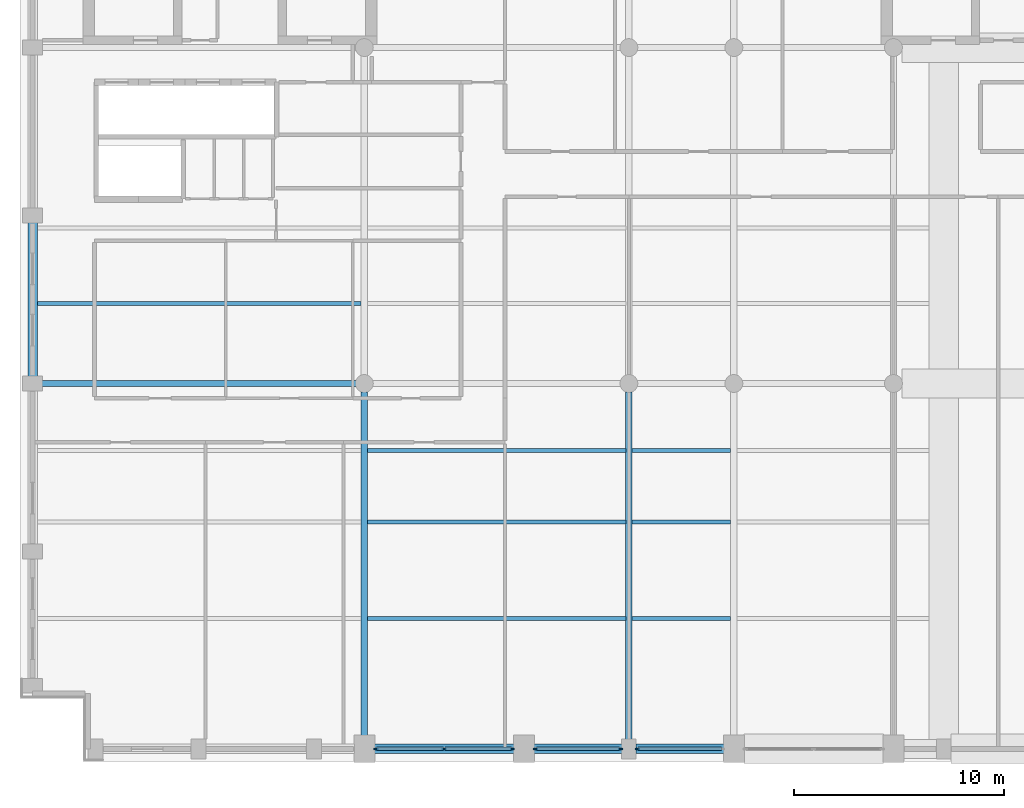
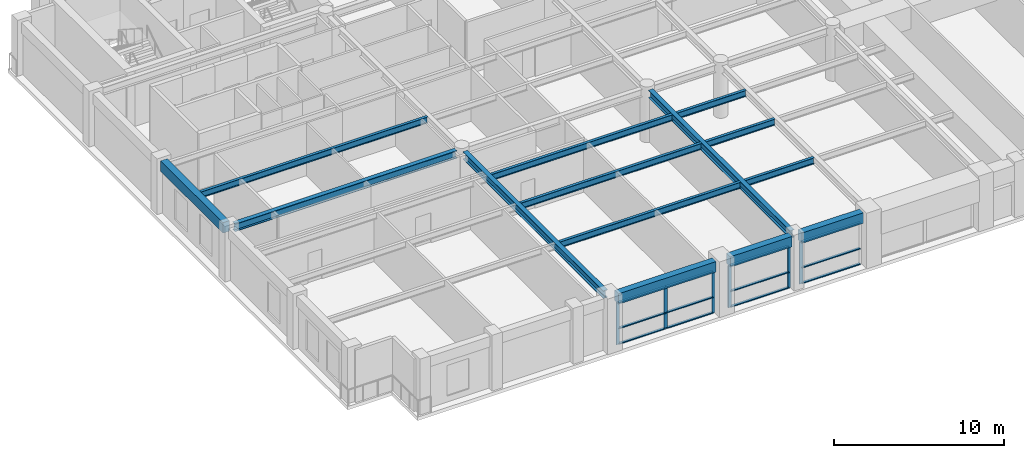
# One storey, part 2 of 14: 18 members, 14 beams, 3 elements without a shape of their own.
"""IFC4 building model written with IfcOpenShell, lengths in metres."""

from ifc_helpers import new_model, si_unit, direction, frame, origin, origin_2d, place, context, subcontext, project, spatial, rectangle, i_section, extrude, material, layer, layer_set, material_profile, profile_set, type_object, element, aggregate, save


model = new_model("IFC4")

# Units and contexts
model_context = context("Model", 3, precision=1e-05, world=origin(), true_north=direction((0.0, 1.0)))
body_context = subcontext(model_context, "Body", "Model", "MODEL_VIEW")
ifc_project = project(units=[si_unit("LENGTHUNIT", "METRE"), si_unit("AREAUNIT", "SQUARE_METRE"), si_unit("VOLUMEUNIT", "CUBIC_METRE"), si_unit("PLANEANGLEUNIT", "RADIAN"), si_unit("MASSUNIT", "GRAM", prefix="KILO")], contexts=[model_context])

# Site, building, storey
site_placement = place(None, origin())
site = spatial("IfcSite", under=ifc_project, at=site_placement, CompositionType="ELEMENT")
building_placement = place(site_placement, origin())
building = spatial("IfcBuilding", under=site, at=building_placement, Name="Sulina Concourse Tower", CompositionType="ELEMENT")
storey_placement = place(building_placement, frame((0.0, 0.0, 285.0)))
storey = spatial("IfcBuildingStorey", under=building, at=storey_placement, Name="L69", CompositionType="ELEMENT", Elevation=285.0)

# Beams
ifc_material_1 = material(Name="Steel S355", Category="steel")
ifc_material_profile_1 = material_profile(ifc_material_1, i_section(OverallWidth=0.18994140625, OverallDepth=0.449951171875, WebThickness=0.009521484375, FlangeThickness=0.0146484375, at=origin_2d()), Name="IPE 450")
ifc_profile_set_1 = profile_set([ifc_material_profile_1], Name="Steel S355")
beam_type_1 = type_object("IfcBeamType", Name="Composite Floor Joist IPE450", PredefinedType="JOIST", material=ifc_profile_set_1)
beam_1_placement = place(storey_placement, frame((16.550048828125, 6.800048828125, 3.550048828125), z_axis=(1.0, 0.0, 0.0), x_axis=(0.0, 1.0, 0.0)))
element("IfcBeam", 1, at=beam_1_placement, inside=storey, type_object=beam_type_1, Name="FJ-J06-2-L69", PredefinedType="JOIST", context=body_context, shape_type="SweptSolid", body=[
    extrude(i_section(OverallWidth=0.18994140625, OverallDepth=0.449951171875, WebThickness=0.009521484375, FlangeThickness=0.0146484375, at=origin_2d()), origin(), (0.0, 0.0, 1.0), 12.300048828125),
])
beam_2_placement = place(storey_placement, frame((29.14990234375, 6.800048828125, 3.550048828125), z_axis=(1.0, 0.0, 0.0), x_axis=(0.0, 1.0, 0.0)))
element("IfcBeam", 2, at=beam_2_placement, inside=storey, type_object=beam_type_1, Name="FJ-J06-3-L69", PredefinedType="JOIST", context=body_context, shape_type="SweptSolid", body=[
    extrude(i_section(OverallWidth=0.18994140625, OverallDepth=0.449951171875, WebThickness=0.009521484375, FlangeThickness=0.0146484375, at=origin_2d()), origin(), (0.0, 0.0, 1.0), 4.7001953125),
])
beam_3_placement = place(storey_placement, frame((16.550048828125, 11.39990234375, 3.550048828125), z_axis=(1.0, 0.0, 0.0), x_axis=(0.0, 1.0, 0.0)))
element("IfcBeam", 3, at=beam_3_placement, inside=storey, type_object=beam_type_1, Name="FJ-J11-2-L69", PredefinedType="JOIST", context=body_context, shape_type="SweptSolid", body=[
    extrude(i_section(OverallWidth=0.18994140625, OverallDepth=0.449951171875, WebThickness=0.009521484375, FlangeThickness=0.0146484375, at=origin_2d()), origin(), (0.0, 0.0, 1.0), 12.300048828125),
])
beam_4_placement = place(storey_placement, frame((29.14990234375, 11.39990234375, 3.550048828125), z_axis=(1.0, 0.0, 0.0), x_axis=(0.0, 1.0, 0.0)))
element("IfcBeam", 4, at=beam_4_placement, inside=storey, type_object=beam_type_1, Name="FJ-J11-3-L69", PredefinedType="JOIST", context=body_context, shape_type="SweptSolid", body=[
    extrude(i_section(OverallWidth=0.18994140625, OverallDepth=0.449951171875, WebThickness=0.009521484375, FlangeThickness=0.0146484375, at=origin_2d()), origin(), (0.0, 0.0, 1.0), 4.7001953125),
])
beam_5_placement = place(storey_placement, frame((16.550048828125, 14.800048828125, 3.550048828125), z_axis=(1.0, 0.0, 0.0), x_axis=(0.0, 1.0, 0.0)))
element("IfcBeam", 5, at=beam_5_placement, inside=storey, type_object=beam_type_1, Name="FJ-J15-2-L69", PredefinedType="JOIST", context=body_context, shape_type="SweptSolid", body=[
    extrude(i_section(OverallWidth=0.18994140625, OverallDepth=0.449951171875, WebThickness=0.009521484375, FlangeThickness=0.0146484375, at=origin_2d()), origin(), (0.0, 0.0, 1.0), 12.300048828125),
])
beam_6_placement = place(storey_placement, frame((29.14990234375, 14.800048828125, 3.550048828125), z_axis=(1.0, 0.0, 0.0), x_axis=(0.0, 1.0, 0.0)))
element("IfcBeam", 6, at=beam_6_placement, inside=storey, type_object=beam_type_1, Name="FJ-J15-3-L69", PredefinedType="JOIST", context=body_context, shape_type="SweptSolid", body=[
    extrude(i_section(OverallWidth=0.18994140625, OverallDepth=0.449951171875, WebThickness=0.009521484375, FlangeThickness=0.0146484375, at=origin_2d()), origin(), (0.0, 0.0, 1.0), 4.7001953125),
])
beam_7_placement = place(storey_placement, frame((0.824951171875, 21.800048828125, 3.550048828125), z_axis=(1.0, 0.0, 0.0), x_axis=(0.0, 1.0, 0.0)))
element("IfcBeam", 7, at=beam_7_placement, inside=storey, type_object=beam_type_1, Name="FJ-J22-1-L69", PredefinedType="JOIST", context=body_context, shape_type="SweptSolid", body=[
    extrude(i_section(OverallWidth=0.18994140625, OverallDepth=0.449951171875, WebThickness=0.009521484375, FlangeThickness=0.0146484375, at=origin_2d()), origin(), (0.0, 0.0, 1.0), 15.425048828125),
])
ifc_material_2 = material(Name="Steel S355", Category="steel")
ifc_material_profile_2 = material_profile(ifc_material_2, i_section(OverallWidth=0.300048828125, OverallDepth=0.550048828125, WebThickness=0.014892578125, FlangeThickness=0.029052734375, at=origin_2d()), Name="HE 550 B")
ifc_profile_set_2 = profile_set([ifc_material_profile_2], Name="Steel S355")
beam_type_2 = type_object("IfcBeamType", Name="Floor Primary Girder Zone 4 HE550B", PredefinedType="BEAM", material=ifc_profile_set_2)
beam_8_placement = place(storey_placement, frame((0.929931640625, 18.0, 3.5), z_axis=(1.0, 0.0, 0.0), x_axis=(0.0, 1.0, 0.0)))
element("IfcBeam", 8, at=beam_8_placement, inside=storey, type_object=beam_type_2, Name="FG-EW1-L69", PredefinedType="BEAM", context=body_context, shape_type="SweptSolid", body=[
    extrude(i_section(OverallWidth=0.300048828125, OverallDepth=0.550048828125, WebThickness=0.014892578125, FlangeThickness=0.029052734375, at=origin_2d()), origin(), (0.0, 0.0, 1.0), 15.065185546875),
])
beam_9_placement = place(storey_placement, frame((16.39990234375, 1.080078125, 3.5), z_axis=(0.0, 1.0, 0.0), x_axis=(-1.0, 0.0, 0.0)))
element("IfcBeam", 9, at=beam_9_placement, inside=storey, type_object=beam_type_2, Name="FG-NSA-16-L69", PredefinedType="BEAM", context=body_context, shape_type="SweptSolid", body=[
    extrude(i_section(OverallWidth=0.300048828125, OverallDepth=0.550048828125, WebThickness=0.014892578125, FlangeThickness=0.029052734375, at=origin_2d()), origin(), (0.0, 0.0, 1.0), 16.514892578125),
])
beam_10_placement = place(storey_placement, frame((29.0, 0.929931640625, 3.5), z_axis=(0.0, 1.0, 0.0), x_axis=(-1.0, 0.0, 0.0)))
element("IfcBeam", 10, at=beam_10_placement, inside=storey, type_object=beam_type_2, Name="FG-NSA-29-L69", PredefinedType="BEAM", context=body_context, shape_type="SweptSolid", body=[
    extrude(i_section(OverallWidth=0.300048828125, OverallDepth=0.550048828125, WebThickness=0.014892578125, FlangeThickness=0.029052734375, at=origin_2d()), origin(), (0.0, 0.0, 1.0), 16.6650390625),
])

# Curtain wall, members
ifc_material_3 = material(Name="Aluminium 6063-T6", Category="aluminium")
ifc_layer = layer(ifc_material_3, 0.22998046875)
ifc_layer_set = layer_set([ifc_layer], Name="Aluminium 6063-T6")
curtain_wall_type = type_object("IfcCurtainWallType", Name="Sky-Pool Wellness Lounge Curtain Wall System", PredefinedType="NOTDEFINED", material=ifc_layer_set)
curtain_wall_1_placement = place(storey_placement, origin())
curtain_wall_1 = element("IfcCurtainWall", 11, at=curtain_wall_1_placement, inside=storey, type_object=curtain_wall_type, Name="L69 glazed curtain wall S4", PredefinedType="NOTDEFINED")
ifc_material_4 = material(Name="Aluminium 6063-T6", Category="aluminium")
ifc_material_profile_3 = material_profile(ifc_material_4, rectangle(XDim=0.068115234375, YDim=0.2099609375, at=origin_2d()), Name="MUL 68x210")
ifc_profile_set_3 = profile_set([ifc_material_profile_3], Name="Aluminium 6063-T6")
member_type_1 = type_object("IfcMemberType", Name="Sky-Pool Wellness Lounge Curtain Wall System Mullion 68x210", PredefinedType="MULLION", material=ifc_profile_set_3)
member_1_placement = place(storey_placement, frame((23.446044921875, 0.60009765625, 0.0), z_axis=(0.0, 0.0, 1.0), x_axis=(0.0, -1.0, 0.0)))
member_1 = element("IfcMember", 12, at=member_1_placement, type_object=member_type_1, Name="CW-05 mullion 1", PredefinedType="MULLION", context=body_context, shape_type="SweptSolid", body=[
    extrude(rectangle(XDim=0.068115234375, YDim=0.2099609375, at=origin_2d()), origin(), (0.0, 0.0, 1.0), 3.02490234375),
])
member_2_placement = place(storey_placement, frame((20.199951171875, 0.60009765625, 0.0), z_axis=(0.0, 0.0, 1.0), x_axis=(0.0, -1.0, 0.0)))
member_2 = element("IfcMember", 13, at=member_2_placement, type_object=member_type_1, Name="CW-05 mullion 2", PredefinedType="MULLION", context=body_context, shape_type="SweptSolid", body=[
    extrude(rectangle(XDim=0.068115234375, YDim=0.2099609375, at=origin_2d()), origin(), (0.0, 0.0, 1.0), 3.02490234375),
])
member_3_placement = place(storey_placement, frame((16.9541015625, 0.60009765625, 0.0), z_axis=(0.0, 0.0, 1.0), x_axis=(0.0, -1.0, 0.0)))
member_3 = element("IfcMember", 14, at=member_3_placement, type_object=member_type_1, Name="CW-05 mullion 3", PredefinedType="MULLION", context=body_context, shape_type="SweptSolid", body=[
    extrude(rectangle(XDim=0.068115234375, YDim=0.2099609375, at=origin_2d()), origin(), (0.0, 0.0, 1.0), 3.02490234375),
])

curtain_wall_2_placement = place(storey_placement, origin())
curtain_wall_2 = element("IfcCurtainWall", 15, at=curtain_wall_2_placement, inside=storey, type_object=curtain_wall_type, Name="L69 glazed curtain wall S5", PredefinedType="NOTDEFINED")
member_4_placement = place(storey_placement, frame((28.595947265625, 0.60009765625, 0.0), z_axis=(0.0, 0.0, 1.0), x_axis=(0.0, -1.0, 0.0)))
member_4 = element("IfcMember", 16, at=member_4_placement, type_object=member_type_1, Name="CW-05 mullion 1", PredefinedType="MULLION", context=body_context, shape_type="SweptSolid", body=[
    extrude(rectangle(XDim=0.068115234375, YDim=0.2099609375, at=origin_2d()), origin(), (0.0, 0.0, 1.0), 3.02490234375),
])
member_5_placement = place(storey_placement, frame((24.553955078125, 0.60009765625, 0.0), z_axis=(0.0, 0.0, 1.0), x_axis=(0.0, -1.0, 0.0)))
member_5 = element("IfcMember", 17, at=member_5_placement, type_object=member_type_1, Name="CW-05 mullion 2", PredefinedType="MULLION", context=body_context, shape_type="SweptSolid", body=[
    extrude(rectangle(XDim=0.068115234375, YDim=0.2099609375, at=origin_2d()), origin(), (0.0, 0.0, 1.0), 3.02490234375),
])

# Curtain wall, member
curtain_wall_3_placement = place(storey_placement, origin())
curtain_wall_3 = element("IfcCurtainWall", 18, at=curtain_wall_3_placement, inside=storey, type_object=curtain_wall_type, Name="L69 glazed curtain wall S6", PredefinedType="NOTDEFINED")
member_6_placement = place(storey_placement, frame((29.404052734375, 0.60009765625, 0.0), z_axis=(0.0, 0.0, 1.0), x_axis=(0.0, -1.0, 0.0)))
member_6 = element("IfcMember", 19, at=member_6_placement, type_object=member_type_1, Name="CW-05 mullion 2", PredefinedType="MULLION", context=body_context, shape_type="SweptSolid", body=[
    extrude(rectangle(XDim=0.068115234375, YDim=0.2099609375, at=origin_2d()), origin(), (0.0, 0.0, 1.0), 3.02490234375),
])

# Member
ifc_material_5 = material(Name="Aluminium 6063-T6", Category="aluminium")
ifc_material_profile_4 = material_profile(ifc_material_5, rectangle(XDim=0.169921875, YDim=0.068115234375, at=origin_2d()), Name="TRN 68x170")
ifc_profile_set_4 = profile_set([ifc_material_profile_4], Name="Aluminium 6063-T6")
member_type_2 = type_object("IfcMemberType", Name="Sky-Pool Wellness Lounge Curtain Wall System Transom 68x170", PredefinedType="USERDEFINED", material=ifc_profile_set_4)
member_7_placement = place(storey_placement, frame((23.412109375, 0.60009765625, 0.033935546875), z_axis=(-1.0, 0.0, 0.0), x_axis=(0.0, -1.0, 0.0)))
member_7 = element("IfcMember", 20, at=member_7_placement, type_object=member_type_2, Name="CW-05 transom 1.1", ObjectType="TRANSOM", PredefinedType="USERDEFINED", context=body_context, shape_type="SweptSolid", body=[
    extrude(rectangle(XDim=0.169921875, YDim=0.068115234375, at=origin_2d()), origin(), (0.0, 0.0, 1.0), 3.17822265625),
])

member_8_placement = place(storey_placement, frame((23.412109375, 0.60009765625, 1.1494140625), z_axis=(-1.0, 0.0, 0.0), x_axis=(0.0, -1.0, 0.0)))
member_8 = element("IfcMember", 21, at=member_8_placement, type_object=member_type_2, Name="CW-05 transom 1.2", ObjectType="TRANSOM", PredefinedType="USERDEFINED", context=body_context, shape_type="SweptSolid", body=[
    extrude(rectangle(XDim=0.169921875, YDim=0.068115234375, at=origin_2d()), origin(), (0.0, 0.0, 1.0), 3.17822265625),
])

member_9_placement = place(storey_placement, frame((23.412109375, 0.60009765625, 2.990966796875), z_axis=(-1.0, 0.0, 0.0), x_axis=(0.0, -1.0, 0.0)))
member_9 = element("IfcMember", 22, at=member_9_placement, type_object=member_type_2, Name="CW-05 transom 1.3", ObjectType="TRANSOM", PredefinedType="USERDEFINED", context=body_context, shape_type="SweptSolid", body=[
    extrude(rectangle(XDim=0.169921875, YDim=0.068115234375, at=origin_2d()), origin(), (0.0, 0.0, 1.0), 3.17822265625),
])

member_10_placement = place(storey_placement, frame((20.166015625, 0.60009765625, 0.033935546875), z_axis=(-1.0, 0.0, 0.0), x_axis=(0.0, -1.0, 0.0)))
member_10 = element("IfcMember", 23, at=member_10_placement, type_object=member_type_2, Name="CW-05 transom 2.1", ObjectType="TRANSOM", PredefinedType="USERDEFINED", context=body_context, shape_type="SweptSolid", body=[
    extrude(rectangle(XDim=0.169921875, YDim=0.068115234375, at=origin_2d()), origin(), (0.0, 0.0, 1.0), 3.177978515625),
])

member_11_placement = place(storey_placement, frame((20.166015625, 0.60009765625, 1.1494140625), z_axis=(-1.0, 0.0, 0.0), x_axis=(0.0, -1.0, 0.0)))
member_11 = element("IfcMember", 24, at=member_11_placement, type_object=member_type_2, Name="CW-05 transom 2.2", ObjectType="TRANSOM", PredefinedType="USERDEFINED", context=body_context, shape_type="SweptSolid", body=[
    extrude(rectangle(XDim=0.169921875, YDim=0.068115234375, at=origin_2d()), origin(), (0.0, 0.0, 1.0), 3.177978515625),
])

member_12_placement = place(storey_placement, frame((20.166015625, 0.60009765625, 2.990966796875), z_axis=(-1.0, 0.0, 0.0), x_axis=(0.0, -1.0, 0.0)))
member_12 = element("IfcMember", 25, at=member_12_placement, type_object=member_type_2, Name="CW-05 transom 2.3", ObjectType="TRANSOM", PredefinedType="USERDEFINED", context=body_context, shape_type="SweptSolid", body=[
    extrude(rectangle(XDim=0.169921875, YDim=0.068115234375, at=origin_2d()), origin(), (0.0, 0.0, 1.0), 3.177978515625),
])

aggregate(curtain_wall_1, [member_1, member_2, member_3, member_7, member_8, member_9, member_10, member_11, member_12])

member_13_placement = place(storey_placement, frame((28.56201171875, 0.60009765625, 0.033935546875), z_axis=(-1.0, 0.0, 0.0), x_axis=(0.0, -1.0, 0.0)))
member_13 = element("IfcMember", 26, at=member_13_placement, type_object=member_type_2, Name="CW-05 transom 1.1", ObjectType="TRANSOM", PredefinedType="USERDEFINED", context=body_context, shape_type="SweptSolid", body=[
    extrude(rectangle(XDim=0.169921875, YDim=0.068115234375, at=origin_2d()), origin(), (0.0, 0.0, 1.0), 3.97412109375),
])

member_14_placement = place(storey_placement, frame((28.56201171875, 0.60009765625, 1.1494140625), z_axis=(-1.0, 0.0, 0.0), x_axis=(0.0, -1.0, 0.0)))
member_14 = element("IfcMember", 27, at=member_14_placement, type_object=member_type_2, Name="CW-05 transom 1.2", ObjectType="TRANSOM", PredefinedType="USERDEFINED", context=body_context, shape_type="SweptSolid", body=[
    extrude(rectangle(XDim=0.169921875, YDim=0.068115234375, at=origin_2d()), origin(), (0.0, 0.0, 1.0), 3.97412109375),
])

member_15_placement = place(storey_placement, frame((28.56201171875, 0.60009765625, 2.990966796875), z_axis=(-1.0, 0.0, 0.0), x_axis=(0.0, -1.0, 0.0)))
member_15 = element("IfcMember", 28, at=member_15_placement, type_object=member_type_2, Name="CW-05 transom 1.3", ObjectType="TRANSOM", PredefinedType="USERDEFINED", context=body_context, shape_type="SweptSolid", body=[
    extrude(rectangle(XDim=0.169921875, YDim=0.068115234375, at=origin_2d()), origin(), (0.0, 0.0, 1.0), 3.97412109375),
])

aggregate(curtain_wall_2, [member_4, member_5, member_13, member_14, member_15])

member_16_placement = place(storey_placement, frame((33.412109375, 0.60009765625, 0.033935546875), z_axis=(-1.0, 0.0, 0.0), x_axis=(0.0, -1.0, 0.0)))
member_16 = element("IfcMember", 29, at=member_16_placement, type_object=member_type_2, Name="CW-05 transom 1.1", ObjectType="TRANSOM", PredefinedType="USERDEFINED", context=body_context, shape_type="SweptSolid", body=[
    extrude(rectangle(XDim=0.169921875, YDim=0.068115234375, at=origin_2d()), origin(), (0.0, 0.0, 1.0), 3.97412109375),
])

member_17_placement = place(storey_placement, frame((33.412109375, 0.60009765625, 1.1494140625), z_axis=(-1.0, 0.0, 0.0), x_axis=(0.0, -1.0, 0.0)))
member_17 = element("IfcMember", 30, at=member_17_placement, type_object=member_type_2, Name="CW-05 transom 1.2", ObjectType="TRANSOM", PredefinedType="USERDEFINED", context=body_context, shape_type="SweptSolid", body=[
    extrude(rectangle(XDim=0.169921875, YDim=0.068115234375, at=origin_2d()), origin(), (0.0, 0.0, 1.0), 3.97412109375),
])

member_18_placement = place(storey_placement, frame((33.412109375, 0.60009765625, 2.990966796875), z_axis=(-1.0, 0.0, 0.0), x_axis=(0.0, -1.0, 0.0)))
member_18 = element("IfcMember", 31, at=member_18_placement, type_object=member_type_2, Name="CW-05 transom 1.3", ObjectType="TRANSOM", PredefinedType="USERDEFINED", context=body_context, shape_type="SweptSolid", body=[
    extrude(rectangle(XDim=0.169921875, YDim=0.068115234375, at=origin_2d()), origin(), (0.0, 0.0, 1.0), 3.97412109375),
])

aggregate(curtain_wall_3, [member_6, member_16, member_17, member_18])

# Beams
ifc_material_6 = material(Name="Precast concrete C50/60", Category="concrete")
ifc_material_profile_5 = material_profile(ifc_material_6, rectangle(XDim=0.449951171875, YDim=0.75, at=origin_2d()), Name="RC 450x750")
ifc_profile_set_5 = profile_set([ifc_material_profile_5], Name="Precast concrete C50/60")
beam_type_3 = type_object("IfcBeamType", Name="Upper Precast Spandrel Edge Beam 450x750", PredefinedType="BEAM", material=ifc_profile_set_5)
beam_11_placement = place(storey_placement, frame((16.8798828125, 0.60009765625, 3.39990234375), z_axis=(1.0, 0.0, 0.0), x_axis=(0.0, 1.0, 0.0)))
element("IfcBeam", 32, at=beam_11_placement, inside=storey, type_object=beam_type_3, Name="SP-S4-L69", PredefinedType="BEAM", context=body_context, shape_type="SweptSolid", body=[
    extrude(rectangle(XDim=0.449951171875, YDim=0.75, at=origin_2d()), origin(), (0.0, 0.0, 1.0), 6.64013671875),
])
for number, where, z_axis, x_axis, name in (
    (33, (24.47998046875, 0.60009765625, 3.39990234375), (1.0, 0.0, 0.0), (0.0, 1.0, 0.0), "SP-S5-L69"),
    (34, (29.330078125, 0.60009765625, 3.39990234375), (1.0, 0.0, 0.0), (0.0, 1.0, 0.0), "SP-S6-L69"),
):
    element("IfcBeam", number, at=place(storey_placement, frame(where, z_axis=z_axis, x_axis=x_axis)), inside=storey, type_object=beam_type_3, Name=name, PredefinedType="BEAM", context=body_context, shape_type="SweptSolid", body=[
        extrude(rectangle(XDim=0.449951171875, YDim=0.75, at=origin_2d()), origin(), (0.0, 0.0, 1.0), 4.18994140625),
    ])
beam_12_placement = place(storey_placement, frame((0.60009765625, 18.330078125, 3.39990234375), z_axis=(0.0, 1.0, 0.0), x_axis=(-1.0, 0.0, 0.0)))
element("IfcBeam", 35, at=beam_12_placement, inside=storey, type_object=beam_type_3, Name="SP-W3-L69", PredefinedType="BEAM", context=body_context, shape_type="SweptSolid", body=[
    extrude(rectangle(XDim=0.449951171875, YDim=0.75, at=origin_2d()), origin(), (0.0, 0.0, 1.0), 7.33984375),
])

save(model, "model.ifc")
